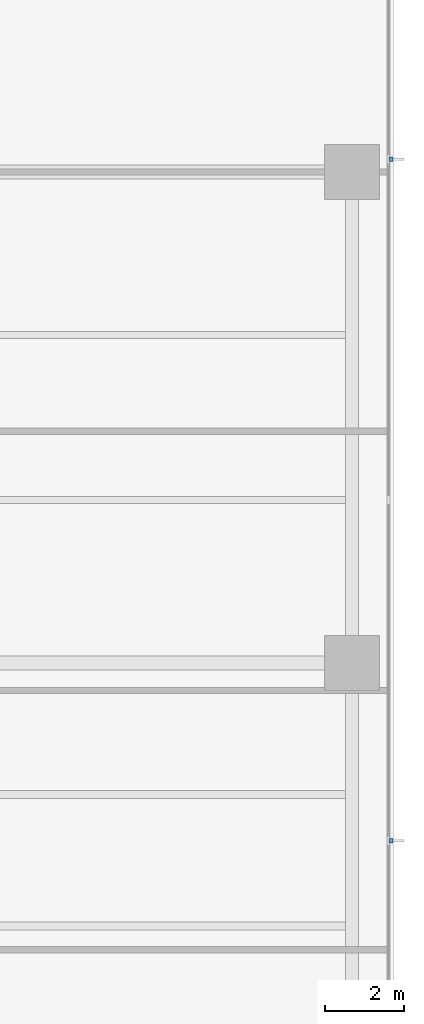
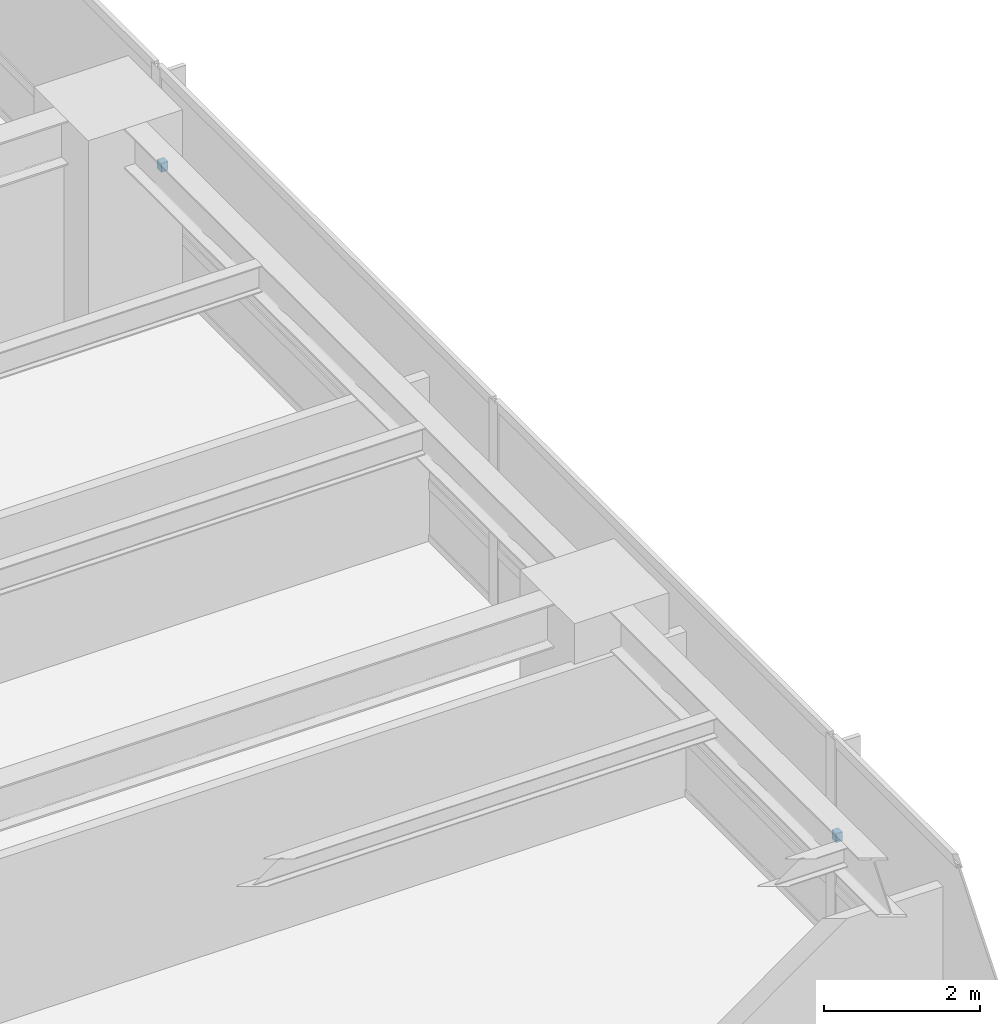
# One storey, part 13 of 17: 2 discrete accessories.
"""IFC4 building model written with IfcOpenShell, lengths in metres."""

from ifc_helpers import new_model, si_unit, direction, frame, origin, place, context, subcontext, project, spatial, polyline, outline, extrude, material, type_object, element, save


model = new_model("IFC4")

# Units and contexts
model_context = context("Model", 3, precision=1e-05, world=origin(), true_north=direction((0.0, 1.0)))
body_context = subcontext(model_context, "Body", "Model", "MODEL_VIEW")
ifc_project = project(units=[si_unit("LENGTHUNIT", "METRE"), si_unit("AREAUNIT", "SQUARE_METRE"), si_unit("VOLUMEUNIT", "CUBIC_METRE"), si_unit("PLANEANGLEUNIT", "RADIAN"), si_unit("MASSUNIT", "GRAM", prefix="KILO")], contexts=[model_context])

# Site, building, storey
site_placement = place(None, origin())
site = spatial("IfcSite", under=ifc_project, at=site_placement, CompositionType="ELEMENT")
building_placement = place(site_placement, origin())
building = spatial("IfcBuilding", under=site, at=building_placement, Name="Qalmaran Belvedere Hotel", CompositionType="ELEMENT")
storey_placement = place(building_placement, frame((0.0, 0.0, 68.39990234375)))
storey = spatial("IfcBuildingStorey", under=building, at=storey_placement, Name="L17", CompositionType="ELEMENT", Elevation=68.39990234375)

# Discrete accessories
ifc_material = material(Name="Stainless Steel 1.4401", Category="steel")
discrete_accessory_type = type_object("IfcDiscreteAccessoryType", Name="BRK-FIN-SS316", PredefinedType="BRACKET", material=ifc_material)
discrete_accessory_1_placement = place(storey_placement, frame((0.0, 0.0, 1.56005859375)))
element("IfcDiscreteAccessory", 1, at=discrete_accessory_1_placement, inside=storey, type_object=discrete_accessory_type, Name="L17 Fin Bracket 1", PredefinedType="BRACKET", context=body_context, shape_type="SweptSolid", body=[
    extrude(outline(polyline([(61.695068359375, 15.919921875), (61.79248046875, 15.919921875), (61.79248046875, 16.030029296875), (61.695068359375, 16.030029296875), (61.695068359375, 15.919921875)])), origin(), (0.0, 0.0, 1.0), 0.14013671875),
])
discrete_accessory_2_placement = place(storey_placement, frame((0.0, 0.0, 1.56005859375)))
element("IfcDiscreteAccessory", 2, at=discrete_accessory_2_placement, inside=storey, type_object=discrete_accessory_type, Name="L17 Fin Bracket 3", PredefinedType="BRACKET", context=body_context, shape_type="SweptSolid", body=[
    extrude(outline(polyline([(61.695068359375, 33.27001953125), (61.79248046875, 33.27001953125), (61.79248046875, 33.3798828125), (61.695068359375, 33.3798828125), (61.695068359375, 33.27001953125)])), origin(), (0.0, 0.0, 1.0), 0.14013671875),
])

save(model, "model.ifc")
